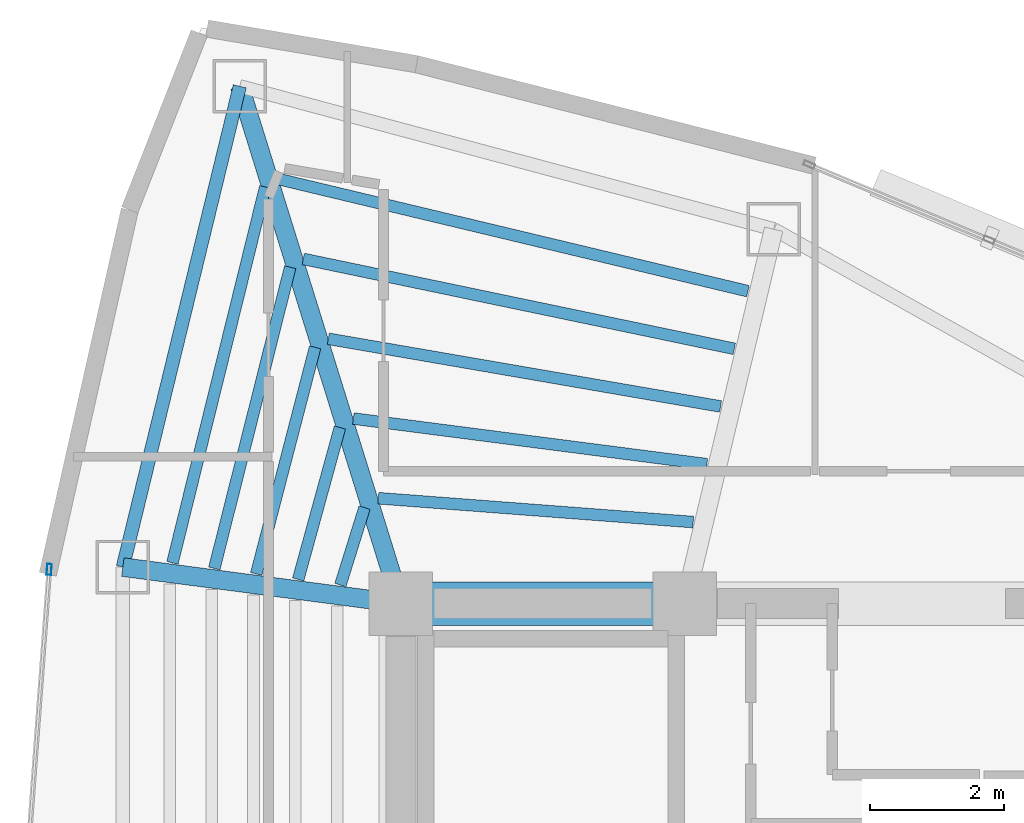
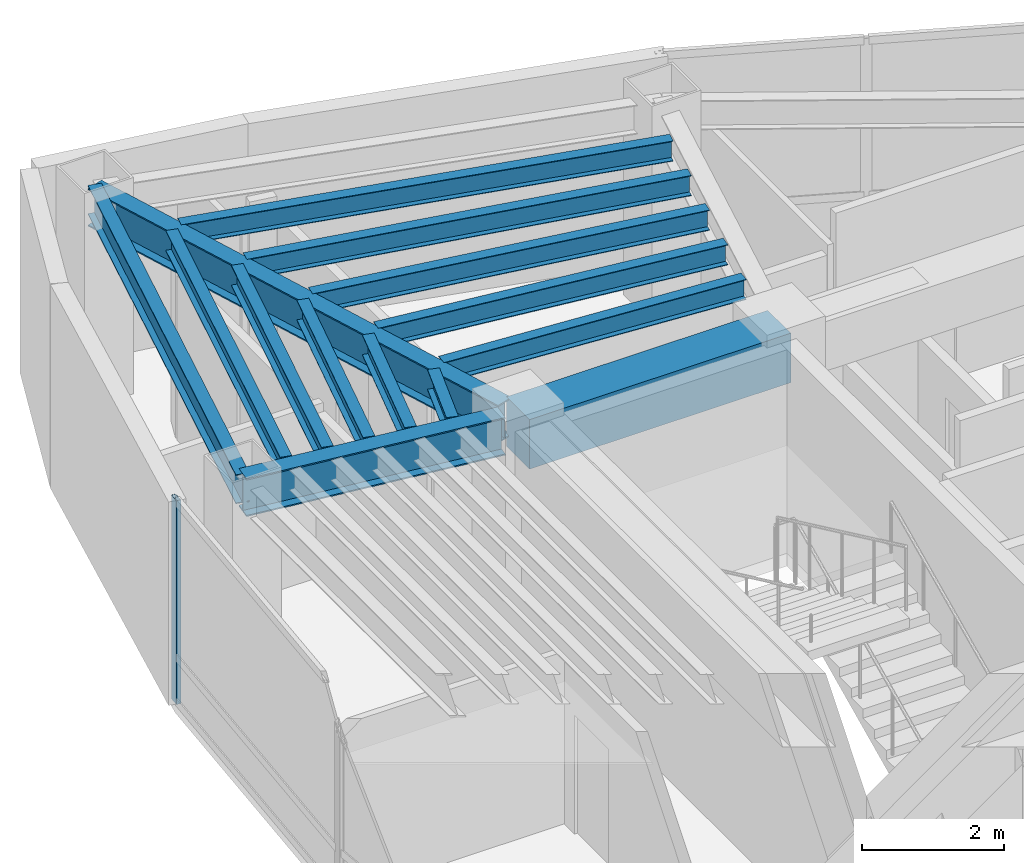
# One storey, part 7 of 15: 14 beams, 1 member, 1 element without a shape of its own.
"""IFC4 building model written with IfcOpenShell, lengths in metres."""

from ifc_helpers import new_model, si_unit, direction, frame, origin, origin_2d, place, context, subcontext, project, spatial, rectangle, hollow_rectangle, i_section, extrude, material, layer, layer_set, material_profile, profile_set, type_object, element, aggregate, save


model = new_model("IFC4")

# Units and contexts
model_context = context("Model", 3, precision=1e-05, world=origin(), true_north=direction((0.0, 1.0)))
body_context = subcontext(model_context, "Body", "Model", "MODEL_VIEW")
ifc_project = project(units=[si_unit("LENGTHUNIT", "METRE"), si_unit("AREAUNIT", "SQUARE_METRE"), si_unit("VOLUMEUNIT", "CUBIC_METRE"), si_unit("PLANEANGLEUNIT", "RADIAN"), si_unit("MASSUNIT", "GRAM", prefix="KILO")], contexts=[model_context])

# Site, building, storey
site_placement = place(None, origin())
site = spatial("IfcSite", under=ifc_project, at=site_placement, CompositionType="ELEMENT")
building_placement = place(site_placement, origin())
building = spatial("IfcBuilding", under=site, at=building_placement, Name="Menara Vayukalpa", CompositionType="ELEMENT")
storey_placement = place(building_placement, frame((0.0, 0.0, 291.780029296875)))
storey = spatial("IfcBuildingStorey", under=building, at=storey_placement, Name="L74", CompositionType="ELEMENT", Elevation=291.780029296875)

# Beams
ifc_material_1 = material(Name="Concrete C60/75", Category="concrete")
ifc_material_profile_1 = material_profile(ifc_material_1, rectangle(XDim=0.64990234375, YDim=0.85009765625, at=origin_2d()), Name="RC 650x850")
ifc_profile_set_1 = profile_set([ifc_material_profile_1], Name="Concrete C60/75")
beam_type_1 = type_object("IfcBeamType", Name="BM-CB1", PredefinedType="BEAM", material=ifc_profile_set_1)
beam_1_placement = place(storey_placement, frame((17.800048828125, 26.800048828125, 3.074951171875), z_axis=(1.0, 0.0, 0.0), x_axis=(0.0, 1.0, 0.0)))
element("IfcBeam", 1, at=beam_1_placement, inside=storey, type_object=beam_type_1, Name="L74 Core Tie Beam CBR4", PredefinedType="BEAM", context=body_context, shape_type="SweptSolid", body=[
    extrude(rectangle(XDim=0.64990234375, YDim=0.85009765625, at=origin_2d()), origin(), (0.0, 0.0, 1.0), 4.25),
])
ifc_material_2 = material(Name="Steel S355", Category="steel")
ifc_material_profile_2 = material_profile(ifc_material_2, i_section(OverallWidth=0.280029296875, OverallDepth=0.64990234375, WebThickness=0.012939453125, FlangeThickness=0.02197265625, at=origin_2d()), Name="WF 650x280x13x22")
ifc_profile_set_2 = profile_set([ifc_material_profile_2], Name="Steel S355")
beam_type_2 = type_object("IfcBeamType", Name="BM-PG6", PredefinedType="BEAM", material=ifc_profile_set_2)
beam_2_placement = place(storey_placement, frame((17.7255859375, 27.038818359375, 3.175048828125), z_axis=(-0.297213792842, 0.954810955815, 0.0), x_axis=(-0.954810955815, -0.297213792842, 0.0)))
element("IfcBeam", 2, at=beam_2_placement, inside=storey, type_object=beam_type_2, Name="L74 Primary Radial Girder RG04", PredefinedType="BEAM", context=body_context, shape_type="SweptSolid", body=[
    extrude(i_section(OverallWidth=0.280029296875, OverallDepth=0.64990234375, WebThickness=0.012939453125, FlangeThickness=0.02197265625, at=origin_2d()), origin(), (0.0, 0.0, 1.0), 7.861083984375),
])
beam_3_placement = place(storey_placement, frame((17.552001953125, 26.83251953125, 3.175048828125), z_axis=(-0.991477860763, 0.130275291662, 0.0), x_axis=(-0.130275291662, -0.991477860763, 0.0)))
element("IfcBeam", 3, at=beam_3_placement, inside=storey, type_object=beam_type_2, Name="L74 Primary Radial Girder RG05", PredefinedType="BEAM", context=body_context, shape_type="SweptSolid", body=[
    extrude(i_section(OverallWidth=0.280029296875, OverallDepth=0.64990234375, WebThickness=0.012939453125, FlangeThickness=0.02197265625, at=origin_2d()), origin(), (0.0, 0.0, 1.0), 3.94677734375),
])
ifc_material_3 = material(Name="Steel S355", Category="steel")
ifc_material_profile_3 = material_profile(ifc_material_3, i_section(OverallWidth=0.175048828125, OverallDepth=0.35009765625, WebThickness=0.007080078125, FlangeThickness=0.010986328125, at=origin_2d()), Name="WF 350x175x7x11")
ifc_profile_set_3 = profile_set([ifc_material_profile_3], Name="Steel S355")
beam_type_3 = type_object("IfcBeamType", Name="BM-SJ3", PredefinedType="JOIST", material=ifc_profile_set_3)
beam_4_placement = place(storey_placement, frame((22.177490234375, 28.0205078125, 3.324951171875), z_axis=(-0.997140447376, 0.075570683512, 0.0), x_axis=(-0.075570683512, -0.997140447376, 0.0)))
element("IfcBeam", 4, at=beam_4_placement, inside=storey, type_object=beam_type_3, Name="L74 Secondary Floor Joist SJ03-1", PredefinedType="JOIST", context=body_context, shape_type="SweptSolid", body=[
    extrude(i_section(OverallWidth=0.175048828125, OverallDepth=0.35009765625, WebThickness=0.007080078125, FlangeThickness=0.010986328125, at=origin_2d()), origin(), (0.0, 0.0, 1.0), 4.726318359375),
])
beam_5_placement = place(storey_placement, frame((22.38232421875, 28.88671875, 3.324951171875), z_axis=(-0.991761375414, 0.128099079766, 0.0), x_axis=(-0.128099079766, -0.991761375414, 0.0)))
element("IfcBeam", 5, at=beam_5_placement, inside=storey, type_object=beam_type_3, Name="L74 Secondary Floor Joist SJ03-2", PredefinedType="JOIST", context=body_context, shape_type="SweptSolid", body=[
    extrude(i_section(OverallWidth=0.175048828125, OverallDepth=0.35009765625, WebThickness=0.007080078125, FlangeThickness=0.010986328125, at=origin_2d()), origin(), (0.0, 0.0, 1.0), 5.33642578125),
])
beam_6_placement = place(storey_placement, frame((22.587158203125, 29.751220703125, 3.324951171875), z_axis=(-0.985438818134, 0.170030396443, 0.0), x_axis=(-0.170030396443, -0.985438818134, 0.0)))
element("IfcBeam", 6, at=beam_6_placement, inside=storey, type_object=beam_type_3, Name="L74 Secondary Floor Joist SJ03-3", PredefinedType="JOIST", context=body_context, shape_type="SweptSolid", body=[
    extrude(i_section(OverallWidth=0.175048828125, OverallDepth=0.35009765625, WebThickness=0.007080078125, FlangeThickness=0.010986328125, at=origin_2d()), origin(), (0.0, 0.0, 1.0), 5.958740234375),
])
beam_7_placement = place(storey_placement, frame((22.7919921875, 30.614501953125, 3.324951171875), z_axis=(-0.978940645958, 0.204145075108, 0.0), x_axis=(-0.204145075108, -0.978940645958, 0.0)))
element("IfcBeam", 7, at=beam_7_placement, inside=storey, type_object=beam_type_3, Name="L74 Secondary Floor Joist SJ03-4", PredefinedType="JOIST", context=body_context, shape_type="SweptSolid", body=[
    extrude(i_section(OverallWidth=0.175048828125, OverallDepth=0.35009765625, WebThickness=0.007080078125, FlangeThickness=0.010986328125, at=origin_2d()), origin(), (0.0, 0.0, 1.0), 6.5908203125),
])
beam_8_placement = place(storey_placement, frame((22.996826171875, 31.476806640625, 3.324951171875), z_axis=(-0.972633830791, 0.232343347656, 0.0), x_axis=(-0.232343347656, -0.972633830791, 0.0)))
element("IfcBeam", 8, at=beam_8_placement, inside=storey, type_object=beam_type_3, Name="L74 Secondary Floor Joist SJ03-5", PredefinedType="JOIST", context=body_context, shape_type="SweptSolid", body=[
    extrude(i_section(OverallWidth=0.175048828125, OverallDepth=0.35009765625, WebThickness=0.007080078125, FlangeThickness=0.010986328125, at=origin_2d()), origin(), (0.0, 0.0, 1.0), 7.229248046875),
])
beam_9_placement = place(storey_placement, frame((17.25732421875, 28.237060546875, 3.324951171875), z_axis=(-0.297954442868, -0.954580090917, 0.0), x_axis=(0.954580090917, -0.297954442868, 0.0)))
element("IfcBeam", 9, at=beam_9_placement, inside=storey, type_object=beam_type_3, Name="L74 Secondary Floor Joist SJ04-1", PredefinedType="JOIST", context=body_context, shape_type="SweptSolid", body=[
    extrude(i_section(OverallWidth=0.175048828125, OverallDepth=0.35009765625, WebThickness=0.007080078125, FlangeThickness=0.010986328125, at=origin_2d()), origin(), (0.0, 0.0, 1.0), 1.21435546875),
])
beam_10_placement = place(storey_placement, frame((16.888916015625, 29.436279296875, 3.324951171875), z_axis=(-0.264947201585, -0.96426292077, 0.0), x_axis=(0.96426292077, -0.264947201585, 0.0)))
element("IfcBeam", 10, at=beam_10_placement, inside=storey, type_object=beam_type_3, Name="L74 Secondary Floor Joist SJ04-2", PredefinedType="JOIST", context=body_context, shape_type="SweptSolid", body=[
    extrude(i_section(OverallWidth=0.175048828125, OverallDepth=0.35009765625, WebThickness=0.007080078125, FlangeThickness=0.010986328125, at=origin_2d()), origin(), (0.0, 0.0, 1.0), 2.35888671875),
])
beam_11_placement = place(storey_placement, frame((16.51708984375, 30.63671875, 3.324951171875), z_axis=(-0.251457685321, -0.967868292947, 0.0), x_axis=(0.967868292947, -0.251457685321, 0.0)))
element("IfcBeam", 11, at=beam_11_placement, inside=storey, type_object=beam_type_3, Name="L74 Secondary Floor Joist SJ04-3", PredefinedType="JOIST", context=body_context, shape_type="SweptSolid", body=[
    extrude(i_section(OverallWidth=0.175048828125, OverallDepth=0.35009765625, WebThickness=0.007080078125, FlangeThickness=0.010986328125, at=origin_2d()), origin(), (0.0, 0.0, 1.0), 3.5048828125),
])
beam_12_placement = place(storey_placement, frame((16.14453125, 31.83740234375, 3.324951171875), z_axis=(-0.244239657645, -0.969714901212, 0.0), x_axis=(0.969714901212, -0.244239657645, 0.0)))
element("IfcBeam", 12, at=beam_12_placement, inside=storey, type_object=beam_type_3, Name="L74 Secondary Floor Joist SJ04-4", PredefinedType="JOIST", context=body_context, shape_type="SweptSolid", body=[
    extrude(i_section(OverallWidth=0.175048828125, OverallDepth=0.35009765625, WebThickness=0.007080078125, FlangeThickness=0.010986328125, at=origin_2d()), origin(), (0.0, 0.0, 1.0), 4.651123046875),
])
beam_13_placement = place(storey_placement, frame((15.771240234375, 33.0380859375, 3.324951171875), z_axis=(-0.239690910211, -0.970849250688, 0.0), x_axis=(0.970849250688, -0.239690910211, 0.0)))
element("IfcBeam", 13, at=beam_13_placement, inside=storey, type_object=beam_type_3, Name="L74 Secondary Floor Joist SJ04-5", PredefinedType="JOIST", context=body_context, shape_type="SweptSolid", body=[
    extrude(i_section(OverallWidth=0.175048828125, OverallDepth=0.35009765625, WebThickness=0.007080078125, FlangeThickness=0.010986328125, at=origin_2d()), origin(), (0.0, 0.0, 1.0), 5.797607421875),
])
ifc_material_4 = material(Name="Steel S355", Category="steel")
ifc_material_profile_4 = material_profile(ifc_material_4, i_section(OverallWidth=0.199951171875, OverallDepth=0.5, WebThickness=0.010009765625, FlangeThickness=0.01611328125, at=origin_2d()), Name="WF 500x200x10x16")
ifc_profile_set_4 = profile_set([ifc_material_profile_4], Name="Steel S355")
beam_type_4 = type_object("IfcBeamType", Name="BM-SP3", PredefinedType="SPANDREL", material=ifc_profile_set_4)
beam_14_placement = place(storey_placement, frame((15.38916015625, 34.544677734375, 3.25), z_axis=(-0.236272525754, -0.97168682896, 0.0), x_axis=(0.97168682896, -0.236272525754, 0.0)))
element("IfcBeam", 14, at=beam_14_placement, inside=storey, type_object=beam_type_4, Name="L74 Perimeter Spandrel Beam SP04", PredefinedType="SPANDREL", context=body_context, shape_type="SweptSolid", body=[
    extrude(i_section(OverallWidth=0.199951171875, OverallDepth=0.5, WebThickness=0.010009765625, FlangeThickness=0.01611328125, at=origin_2d()), origin(), (0.0, 0.0, 1.0), 7.40771484375),
])

# Curtain wall, member
ifc_material_5 = material(Name="Anodised Terracotta Aluminium Alloy 6063-T6", Category="masonry")
ifc_layer = layer(ifc_material_5, 0.1650390625)
ifc_layer_set = layer_set([ifc_layer], Name="Anodised Terracotta Aluminium Alloy 6063-T6")
curtain_wall_type = type_object("IfcCurtainWallType", Name="CW-CW6", PredefinedType="USERDEFINED", material=ifc_layer_set)
curtain_wall_placement = place(storey_placement, origin())
curtain_wall = element("IfcCurtainWall", 15, at=curtain_wall_placement, inside=storey, type_object=curtain_wall_type, Name="L74 Observation and Executive Curtain Wall CW6 10", ObjectType="UNITISED", PredefinedType="USERDEFINED")
ifc_material_6 = material(Name="Anodised Terracotta Aluminium Alloy 6063-T6", Category="masonry")
ifc_material_profile_5 = material_profile(ifc_material_6, hollow_rectangle(XDim=0.070068359375, YDim=0.1650390625, WallThickness=0.00390625, at=origin_2d()), Name="ALU 70x165x4")
ifc_profile_set_5 = profile_set([ifc_material_profile_5], Name="Anodised Terracotta Aluminium Alloy 6063-T6")
member_type = type_object("IfcMemberType", Name="CWM-CW6", PredefinedType="MULLION", material=ifc_profile_set_5)
member_placement = place(storey_placement, frame((12.536376953125, 27.311767578125, 0.0), z_axis=(0.0, 0.0, 1.0), x_axis=(0.997199344663, -0.074789484574, 0.0)))
member = element("IfcMember", 16, at=member_placement, type_object=member_type, Name="CW6 mullion 1", PredefinedType="MULLION", context=body_context, shape_type="SweptSolid", body=[
    extrude(hollow_rectangle(XDim=0.070068359375, YDim=0.1650390625, WallThickness=0.00390625, at=origin_2d()), origin(), (0.0, 0.0, 1.0), 3.5),
])
aggregate(curtain_wall, [member])

save(model, "model.ifc")
